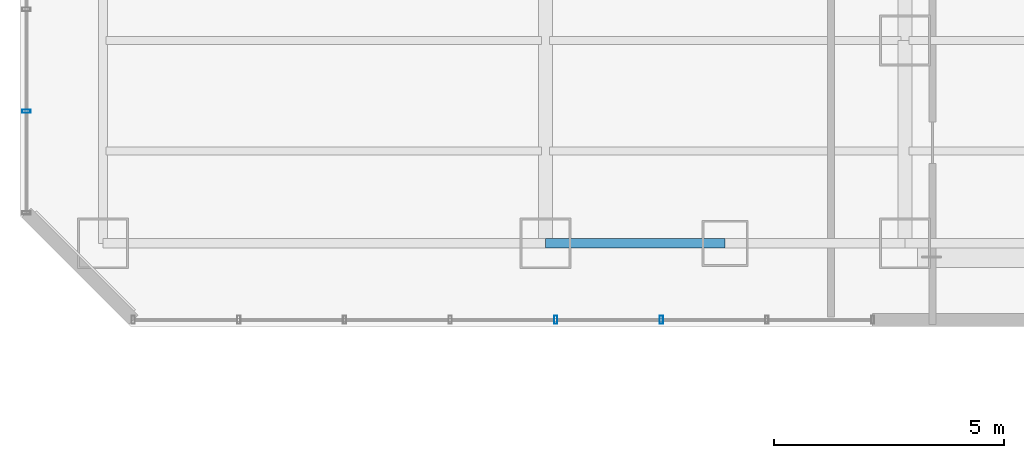
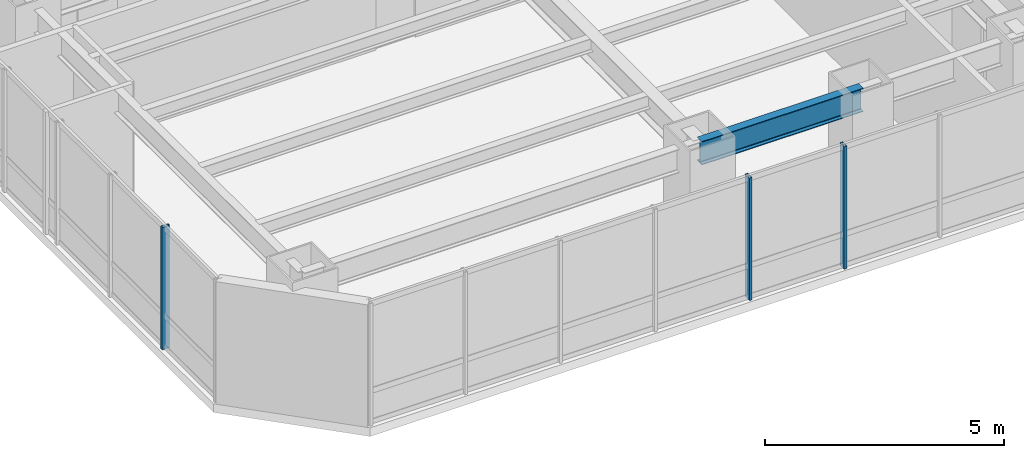
# One storey, part 4 of 33: 3 members, 1 beam, 2 elements without a shape of their own.
"""IFC4 building model written with IfcOpenShell, lengths in metres."""

from ifc_helpers import new_model, si_unit, direction, frame, origin, origin_2d, place, context, subcontext, project, spatial, hollow_rectangle, i_section, extrude, material, layer, layer_set, material_profile, profile_set, type_object, element, aggregate, save


model = new_model("IFC4")

# Units and contexts
model_context = context("Model", 3, precision=1e-05, world=origin(), true_north=direction((0.0, 1.0)))
body_context = subcontext(model_context, "Body", "Model", "MODEL_VIEW")
ifc_project = project(units=[si_unit("LENGTHUNIT", "METRE"), si_unit("AREAUNIT", "SQUARE_METRE"), si_unit("VOLUMEUNIT", "CUBIC_METRE"), si_unit("PLANEANGLEUNIT", "RADIAN"), si_unit("MASSUNIT", "GRAM", prefix="KILO")], contexts=[model_context])

# Site, building, storey
site_placement = place(None, origin())
site = spatial("IfcSite", under=ifc_project, at=site_placement, CompositionType="ELEMENT")
building_placement = place(site_placement, origin())
building = spatial("IfcBuilding", under=site, at=building_placement, Name="Hatsunagi Terrace Concourse", CompositionType="ELEMENT")
storey_placement = place(building_placement, frame((0.0, 0.0, 43.300048828125)))
storey = spatial("IfcBuildingStorey", under=building, at=storey_placement, Name="L10", CompositionType="ELEMENT", Elevation=43.300048828125)

# Curtain wall, members
ifc_material_1 = material(Name="Anodised Aluminium Alloy 6063-T5", Category="aluminium")
ifc_layer = layer(ifc_material_1, 0.199951171875)
ifc_layer_set = layer_set([ifc_layer], Name="HotelFacade_CW02")
curtain_wall_type = type_object("IfcCurtainWallType", Name="HotelFacade_CW02", PredefinedType="NOTDEFINED", material=ifc_layer_set)
curtain_wall_1_placement = place(storey_placement, origin())
curtain_wall_1 = element("IfcCurtainWall", 1, at=curtain_wall_1_placement, inside=storey, type_object=curtain_wall_type, Name="Unitised Curtain Wall CW-02 CW-L10-07", PredefinedType="NOTDEFINED")
ifc_material_2 = material(Name="Anodised Aluminium Alloy 6063-T5", Category="aluminium")
ifc_material_profile_1 = material_profile(ifc_material_2, hollow_rectangle(XDim=0.070068359375, YDim=0.179931640625, WallThickness=0.00390625, at=origin_2d()), Name="ALU-MUL-180x70x4")
ifc_profile_set_1 = profile_set([ifc_material_profile_1], Name="Anodised Aluminium Alloy 6063-T5")
member_type = type_object("IfcMemberType", Name="CurtainWallMullion_180x70", PredefinedType="MULLION", material=ifc_profile_set_1)
member_1_placement = place(storey_placement, frame((13.9169921875, 23.5400390625, 0.0), z_axis=(0.0, 0.0, 1.0), x_axis=(-1.0, 0.0, 0.0)))
member_1 = element("IfcMember", 2, at=member_1_placement, type_object=member_type, Name="Curtain Wall Mullion MUL-02", PredefinedType="MULLION", context=body_context, shape_type="SweptSolid", body=[
    extrude(hollow_rectangle(XDim=0.070068359375, YDim=0.179931640625, WallThickness=0.00390625, at=origin_2d()), origin(), (0.0, 0.0, 1.0), 3.1298828125),
])
member_2_placement = place(storey_placement, frame((11.625, 23.5400390625, 0.0), z_axis=(0.0, 0.0, 1.0), x_axis=(-1.0, 0.0, 0.0)))
member_2 = element("IfcMember", 3, at=member_2_placement, type_object=member_type, Name="Curtain Wall Mullion MUL-02", PredefinedType="MULLION", context=body_context, shape_type="SweptSolid", body=[
    extrude(hollow_rectangle(XDim=0.070068359375, YDim=0.179931640625, WallThickness=0.00390625, at=origin_2d()), origin(), (0.0, 0.0, 1.0), 3.1298828125),
])
aggregate(curtain_wall_1, [member_1, member_2])

# Curtain wall, member
curtain_wall_2_placement = place(storey_placement, origin())
curtain_wall_2 = element("IfcCurtainWall", 4, at=curtain_wall_2_placement, inside=storey, type_object=curtain_wall_type, Name="Unitised Curtain Wall CW-02 CW-L10-09", PredefinedType="NOTDEFINED")
member_3_placement = place(storey_placement, frame((0.139892578125, 28.06591796875, 0.0), z_axis=(0.0, 0.0, 1.0), x_axis=(0.0, 1.0, 0.0)))
member_3 = element("IfcMember", 5, at=member_3_placement, type_object=member_type, Name="Curtain Wall Mullion MUL-02", PredefinedType="MULLION", context=body_context, shape_type="SweptSolid", body=[
    extrude(hollow_rectangle(XDim=0.070068359375, YDim=0.179931640625, WallThickness=0.00390625, at=origin_2d()), origin(), (0.0, 0.0, 1.0), 3.1298828125),
])
aggregate(curtain_wall_2, [member_3])

# Beam
ifc_material_3 = material(Name="Steel SN490B", Category="steel")
ifc_material_profile_2 = material_profile(ifc_material_3, i_section(OverallWidth=0.199951171875, OverallDepth=0.60009765625, WebThickness=0.010986328125, FlangeThickness=0.01708984375, FilletRadius=0.01806640625, at=origin_2d()), Name="H-600x200x11x17")
ifc_profile_set_2 = profile_set([ifc_material_profile_2], Name="Steel SN490B")
beam_type = type_object("IfcBeamType", Name="PerimeterSpandrel_H_600x200", PredefinedType="SPANDREL", material=ifc_profile_set_2)
beam_placement = place(storey_placement, frame((11.39990234375, 25.199951171875, 2.829833984375), z_axis=(1.0, 0.0, 0.0), x_axis=(0.0, 1.0, 0.0)))
element("IfcBeam", 6, at=beam_placement, inside=storey, type_object=beam_type, Name="Beam SP-01 BM-L10-WS-11", PredefinedType="SPANDREL", context=body_context, shape_type="SweptSolid", body=[
    extrude(i_section(OverallWidth=0.199951171875, OverallDepth=0.60009765625, WebThickness=0.010986328125, FlangeThickness=0.01708984375, FilletRadius=0.01806640625, at=origin_2d()), origin(), (0.0, 0.0, 1.0), 3.900146484375),
])

save(model, "model.ifc")
